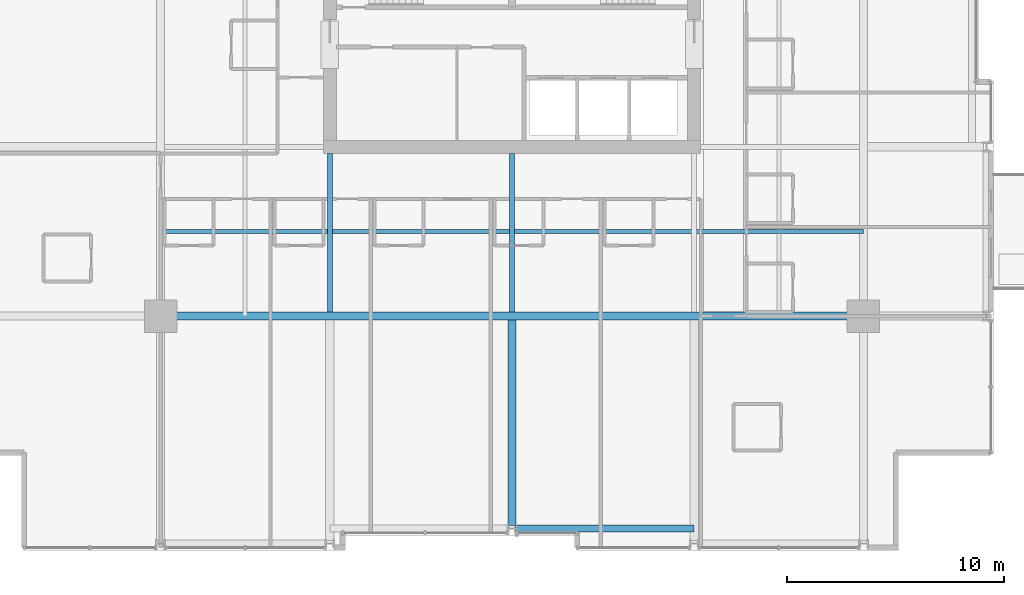
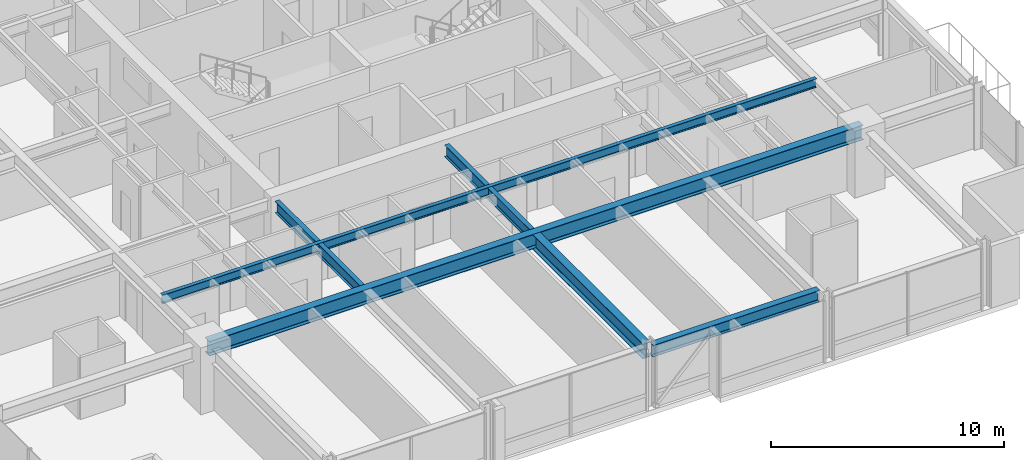
# One storey, part 6 of 35: 6 beams.
"""IFC4 building model written with IfcOpenShell, lengths in metres."""

import ifcopenshell
import ifcopenshell.guid

model = None  # the IFC model being written
_history = None  # IfcOwnerHistory: only IFC2X3 demands one
_inside = {}  # id of a spatial element -> (the spatial element, [elements in it])
_under = {}  # id of a project, library or spatial element -> (it, [spatial elements below it])
_declared = {}  # id of a project -> (the project, [libraries it declares])
_typed = {}  # id of a type object -> (the type object, [elements of that type])
_made_of = {}  # id of a material, layer set ... -> (it, [elements and type objects made of it])


def new_model(schema):
    """Start an empty IFC model of exactly this schema.

    Asked for "IFC4X3", IfcOpenShell would pick the latest addendum, in which some entities
    have other attributes; the version numbers below select the first issue.
    IFC2X3 requires an IfcOwnerHistory on every rooted entity: one is made here for all.
    """
    global model, _history
    if schema == "IFC4X3":
        model = ifcopenshell.file(schema_version=(4, 3, 0, 0))
    else:
        model = ifcopenshell.file(schema=schema)
    _inside.clear()
    _under.clear()
    _declared.clear()
    _typed.clear()
    _made_of.clear()
    _history = None
    if model.schema == "IFC2X3":
        org = make("IfcOrganization", Name="unknown")
        user = make(
            "IfcPersonAndOrganization",
            ThePerson=make("IfcPerson", FamilyName="unknown"),
            TheOrganization=org,
        )
        app = make(
            "IfcApplication",
            ApplicationDeveloper=org,
            Version="unknown",
            ApplicationFullName="unknown",
            ApplicationIdentifier="unknown",
        )
        _history = make(
            "IfcOwnerHistory",
            OwningUser=user,
            OwningApplication=app,
            ChangeAction="ADDED",
            CreationDate=0,
        )
    return model


def make(cls, **values):
    """One entity of the class cls with the attributes given. An attribute that is None is left unset."""
    return model.create_entity(
        cls, **{name: value for name, value in values.items() if value is not None}
    )


def rooted(cls, **values):
    """An entity with a GlobalId (a new one), such as an element, a storey or a relation."""
    return make(cls, GlobalId=ifcopenshell.guid.new(), OwnerHistory=_history, **values)


def si_unit(unit_type, name, prefix=None):
    """IfcSIUnit, for example si_unit("LENGTHUNIT", "METRE", prefix="MILLI")."""
    return make("IfcSIUnit", UnitType=unit_type, Prefix=prefix, Name=name)


def assignment(units):
    """IfcUnitAssignment: the units of a project."""
    return None if units is None else make("IfcUnitAssignment", Units=units)


def point(xyz):
    """IfcCartesianPoint."""
    return None if xyz is None else make("IfcCartesianPoint", Coordinates=xyz)


def direction(xyz):
    """IfcDirection."""
    return None if xyz is None else make("IfcDirection", DirectionRatios=xyz)


def frame(location, z_axis=None, x_axis=None):
    """IfcAxis2Placement3D, a coordinate frame: its origin and axes. An axis left out is left unset."""
    return make(
        "IfcAxis2Placement3D",
        Location=point(location),
        Axis=direction(z_axis),
        RefDirection=direction(x_axis),
    )


def frame_2d(location, x_axis=None):
    """IfcAxis2Placement2D, a coordinate frame in the plane: its origin and x axis."""
    return make(
        "IfcAxis2Placement2D", Location=point(location), RefDirection=direction(x_axis)
    )


def origin():
    """The frame at (0, 0, 0) with its axes left unset."""
    return frame((0.0, 0.0, 0.0))


def origin_2d():
    """The frame at (0, 0) in the plane with its x axis left unset."""
    return frame_2d((0.0, 0.0))


def place(relative_to, where):
    """IfcLocalPlacement: puts the frame where relative to a parent placement (None: the world)."""
    return make(
        "IfcLocalPlacement", PlacementRelTo=relative_to, RelativePlacement=where
    )


def context(
    kind, dimensions, precision=None, world=None, true_north=None, identifier=None
):
    """IfcGeometricRepresentationContext, for example the 3D "Model" context."""
    return make(
        "IfcGeometricRepresentationContext",
        ContextIdentifier=identifier,
        ContextType=kind,
        CoordinateSpaceDimension=dimensions,
        Precision=precision,
        WorldCoordinateSystem=world,
        TrueNorth=true_north,
    )


def subcontext(parent, identifier, kind, view, scale=None):
    """IfcGeometricRepresentationSubContext, for example "Body" below "Model"."""
    return make(
        "IfcGeometricRepresentationSubContext",
        ContextIdentifier=identifier,
        ContextType=kind,
        ParentContext=parent,
        TargetScale=scale,
        TargetView=view,
    )


def project(units=None, contexts=None):
    """IfcProject with its units and contexts."""
    return rooted(
        "IfcProject",
        Name="project",
        RepresentationContexts=contexts,
        UnitsInContext=assignment(units),
    )


def spatial(cls, under=None, at=None, **own):
    """A site, building, storey or space (cls), placed at a placement, below another one or the project."""
    s = rooted(cls, ObjectPlacement=at, **own)
    if under is not None:
        _under.setdefault(under.id(), (under, []))[1].append(s)
    return s


def profile(cls, at=None, kind="AREA", **sizes):
    """A parametric profile (cls). Its sizes go by their IFC names, for example OverallWidth=200.0."""
    return make(cls, ProfileType=kind, Position=at, **sizes)


def i_section(**sizes):
    """IfcIShapeProfileDef."""
    return profile("IfcIShapeProfileDef", **sizes)


def extrude(swept, where, along, depth):
    """IfcExtrudedAreaSolid: the profile swept, set in the frame where, extruded along a direction by depth."""
    return make(
        "IfcExtrudedAreaSolid",
        SweptArea=swept,
        Position=where,
        ExtrudedDirection=direction(along),
        Depth=depth,
    )


def shape(context_of_items, identifier, shape_type, items):
    """IfcShapeRepresentation: the items that make up one representation, for example the "Body"."""
    return make(
        "IfcShapeRepresentation",
        ContextOfItems=context_of_items,
        RepresentationIdentifier=identifier,
        RepresentationType=shape_type,
        Items=items,
    )


def material(Name=None, Category=None):
    """IfcMaterial."""
    return make("IfcMaterial", Name=Name, Category=Category)


def material_profile(
    of_material, cross_section, Name=None, Category=None, Priority=None
):
    """IfcMaterialProfile: a cross section and its material."""
    return make(
        "IfcMaterialProfile",
        Name=Name,
        Material=of_material,
        Profile=cross_section,
        Priority=Priority,
        Category=Category,
    )


def profile_set(profiles, Name=None, composite=None):
    """IfcMaterialProfileSet."""
    return make(
        "IfcMaterialProfileSet",
        Name=Name,
        MaterialProfiles=profiles,
        CompositeProfile=composite,
    )


def made_of(thing, what):
    """Note that an element or type object is made of a material, layer set ...; save() writes the relation."""
    if what is not None:
        _made_of.setdefault(what.id(), (what, []))[1].append(thing)
    return thing


def type_object(cls, material=None, **own):
    """A type object (cls), such as IfcWallType, which elements share."""
    return made_of(rooted(cls, **own), material)


def element(
    cls,
    number,
    at=None,
    inside=None,
    cuts=None,
    type_object=None,
    material=None,
    context=None,
    identifier="Body",
    shape_type=None,
    held_by="IfcProductDefinitionShape",
    body=None,
    shapes=None,
    **own,
):
    """One element of the class cls, such as IfcWall. Its Tag is "e" and its number.

    at: its placement. inside: the storey or other place that contains it. cuts: it is an
    opening in that element (IfcRelVoidsElement). A single representation is given by context,
    identifier, shape_type and body (its items); several are given by shapes. held_by: the class
    of the entity that holds the representations. save() writes the other relations.
    """
    e = rooted(cls, Tag="e%d" % number, ObjectPlacement=at, **own)
    if body is not None:
        shapes = [shape(context, identifier, shape_type, body)]
    if shapes is not None:
        e.Representation = make(held_by, Representations=shapes)
    if inside is not None:
        _inside.setdefault(inside.id(), (inside, []))[1].append(e)
    if cuts is not None:
        rooted(
            "IfcRelVoidsElement", RelatingBuildingElement=cuts, RelatedOpeningElement=e
        )
    if type_object is not None:
        _typed.setdefault(type_object.id(), (type_object, []))[1].append(e)
    return made_of(e, material)


def aggregate(whole, parts):
    """IfcRelAggregates: a whole, such as a stair, and the parts it consists of."""
    return rooted("IfcRelAggregates", RelatingObject=whole, RelatedObjects=parts)


def save(model, path):
    """Write the relations noted so far, then the file.

    IfcRelAggregates (storeys below a building ...), IfcRelContainedInSpatialStructure (elements
    in a storey), IfcRelDefinesByType, IfcRelAssociatesMaterial and IfcRelDeclares: one each for
    every whole, place, type object, material and project.
    """
    for whole, parts in _under.values():
        aggregate(whole, parts)
    for where, things in _inside.values():
        rooted(
            "IfcRelContainedInSpatialStructure",
            RelatedElements=things,
            RelatingStructure=where,
        )
    for kind, things in _typed.values():
        rooted("IfcRelDefinesByType", RelatedObjects=things, RelatingType=kind)
    for what, things in _made_of.values():
        rooted("IfcRelAssociatesMaterial", RelatedObjects=things, RelatingMaterial=what)
    for by, libraries in _declared.values():
        rooted("IfcRelDeclares", RelatingContext=by, RelatedDefinitions=libraries)
    model.write(path)


model = new_model("IFC4")

# Units and contexts
model_context = context("Model", 3, precision=1e-05, world=origin(), true_north=direction((0.0, 1.0)))
body_context = subcontext(model_context, "Body", "Model", "MODEL_VIEW")
ifc_project = project(units=[si_unit("LENGTHUNIT", "METRE"), si_unit("AREAUNIT", "SQUARE_METRE"), si_unit("VOLUMEUNIT", "CUBIC_METRE"), si_unit("PLANEANGLEUNIT", "RADIAN"), si_unit("MASSUNIT", "GRAM", prefix="KILO")], contexts=[model_context])

# Site, building, storey
site_placement = place(None, origin())
site = spatial("IfcSite", under=ifc_project, at=site_placement, CompositionType="ELEMENT")
building_placement = place(site_placement, origin())
building = spatial("IfcBuilding", under=site, at=building_placement, Name="Drelvath Grand Hotel", CompositionType="ELEMENT")
storey_placement = place(building_placement, frame((0.0, 0.0, 95.300048828125)))
storey = spatial("IfcBuildingStorey", under=building, at=storey_placement, Name="L23", CompositionType="ELEMENT", Elevation=95.300048828125)

# Beams
ifc_material = material(Name="Steel ASTM A992 Gr 50", Category="steel")
ifc_material_profile_1 = material_profile(ifc_material, i_section(OverallWidth=0.19140625, OverallDepth=0.4599609375, WebThickness=0.010009765625, FlangeThickness=0.01611328125, FilletRadius=0.01611328125, at=origin_2d()), Name="W18X55")
ifc_profile_set_1 = profile_set([ifc_material_profile_1], Name="Steel ASTM A992 Gr 50")
beam_type_1 = type_object("IfcBeamType", Name="Composite Floor Joist W18X55", PredefinedType="JOIST", material=ifc_profile_set_1)
beam_1_placement = place(storey_placement, frame((-16.199951171875, 14.699951171875, 3.010009765625), z_axis=(1.0, 0.0, 0.0), x_axis=(0.0, 1.0, 0.0)))
element("IfcBeam", 1, at=beam_1_placement, inside=storey, type_object=beam_type_1, Name="L23 Floor Joist J1", PredefinedType="JOIST", context=body_context, shape_type="SweptSolid", body=[
    extrude(i_section(OverallWidth=0.19140625, OverallDepth=0.4599609375, WebThickness=0.010009765625, FlangeThickness=0.01611328125, FilletRadius=0.01611328125, at=origin_2d()), origin(), (0.0, 0.0, 1.0), 32.39990234375),
])
ifc_material_profile_2 = material_profile(ifc_material, i_section(OverallWidth=0.323974609375, OverallDepth=0.611083984375, WebThickness=0.0126953125, FlangeThickness=0.01904296875, FilletRadius=0.02197265625, at=origin_2d()), Name="W24X104")
ifc_profile_set_2 = profile_set([ifc_material_profile_2], Name="Steel ASTM A992 Gr 50")
beam_type_2 = type_object("IfcBeamType", Name="Perimeter Spandrel Beam W24X104", PredefinedType="SPANDREL", material=ifc_profile_set_2)
beam_2_placement = place(storey_placement, frame((0.139892578125, 1.0, 2.9345703125), z_axis=(1.0, 0.0, 0.0), x_axis=(0.0, 1.0, 0.0)))
element("IfcBeam", 2, at=beam_2_placement, inside=storey, type_object=beam_type_2, Name="L23 Spandrel South Mid E", PredefinedType="SPANDREL", context=body_context, shape_type="SweptSolid", body=[
    extrude(i_section(OverallWidth=0.323974609375, OverallDepth=0.611083984375, WebThickness=0.0126953125, FlangeThickness=0.01904296875, FilletRadius=0.02197265625, at=origin_2d()), origin(), (0.0, 0.0, 1.0), 8.260009765625),
])
ifc_material_profile_3 = material_profile(ifc_material, i_section(OverallWidth=0.228271484375, OverallDepth=0.607666015625, WebThickness=0.01123046875, FlangeThickness=0.017333984375, FilletRadius=0.02001953125, at=origin_2d()), Name="W24X76")
ifc_profile_set_3 = profile_set([ifc_material_profile_3], Name="Steel ASTM A992 Gr 50")
beam_type_3 = type_object("IfcBeamType", Name="Primary Floor Girder W24X76", PredefinedType="BEAM", material=ifc_profile_set_3)
for number, where, z_axis, x_axis, name in (
    (3, (-8.39990234375, 10.990234375, 2.93603515625), (0.0, 1.0, 0.0), (-1.0, 0.0, 0.0), "L23 South Core Tie 4"),
    (4, (0.0, 10.990234375, 2.93603515625), (0.0, 1.0, 0.0), (-1.0, 0.0, 0.0), "L23 South Core Tie 5"),
):
    element("IfcBeam", number, at=place(storey_placement, frame(where, z_axis=z_axis, x_axis=x_axis)), inside=storey, type_object=beam_type_3, Name=name, PredefinedType="BEAM", context=body_context, shape_type="SweptSolid", body=[
        extrude(i_section(OverallWidth=0.228271484375, OverallDepth=0.607666015625, WebThickness=0.01123046875, FlangeThickness=0.017333984375, FilletRadius=0.02001953125, at=origin_2d()), origin(), (0.0, 0.0, 1.0), 7.309814453125),
    ])
ifc_material_profile_4 = material_profile(ifc_material, i_section(OverallWidth=0.380615234375, OverallDepth=0.773193359375, WebThickness=0.0166015625, FlangeThickness=0.027099609375, FilletRadius=0.02490234375, at=origin_2d()), Name="W30X173")
ifc_profile_set_4 = profile_set([ifc_material_profile_4], Name="Steel ASTM A992 Gr 50")
beam_type_4 = type_object("IfcBeamType", Name="Primary Floor Girder W30X173", PredefinedType="BEAM", material=ifc_profile_set_4)
beam_3_placement = place(storey_placement, frame((-16.199951171875, 10.800048828125, 2.853271484375), z_axis=(1.0, 0.0, 0.0), x_axis=(0.0, 1.0, 0.0)))
element("IfcBeam", 5, at=beam_3_placement, inside=storey, type_object=beam_type_4, Name="L23 Mega Ring Girder South", PredefinedType="BEAM", context=body_context, shape_type="SweptSolid", body=[
    extrude(i_section(OverallWidth=0.380615234375, OverallDepth=0.773193359375, WebThickness=0.0166015625, FlangeThickness=0.027099609375, FilletRadius=0.02490234375, at=origin_2d()), origin(), (0.0, 0.0, 1.0), 32.39990234375),
])
beam_4_placement = place(storey_placement, frame((0.0, 1.139892578125, 2.853271484375), z_axis=(0.0, 1.0, 0.0), x_axis=(-1.0, 0.0, 0.0)))
element("IfcBeam", 6, at=beam_4_placement, inside=storey, type_object=beam_type_4, Name="L23 South Wing Girder 5", PredefinedType="BEAM", context=body_context, shape_type="SweptSolid", body=[
    extrude(i_section(OverallWidth=0.380615234375, OverallDepth=0.773193359375, WebThickness=0.0166015625, FlangeThickness=0.027099609375, FilletRadius=0.02490234375, at=origin_2d()), origin(), (0.0, 0.0, 1.0), 9.4697265625),
])

save(model, "model.ifc")
